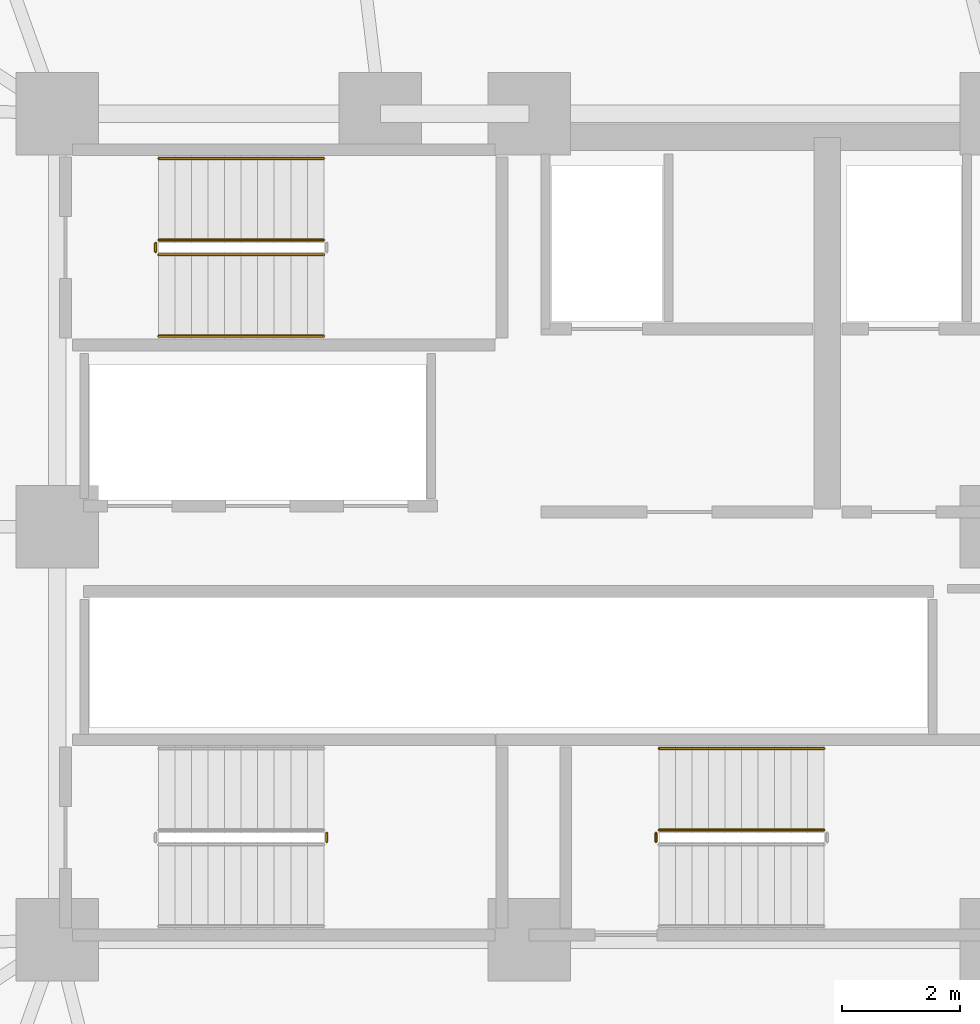
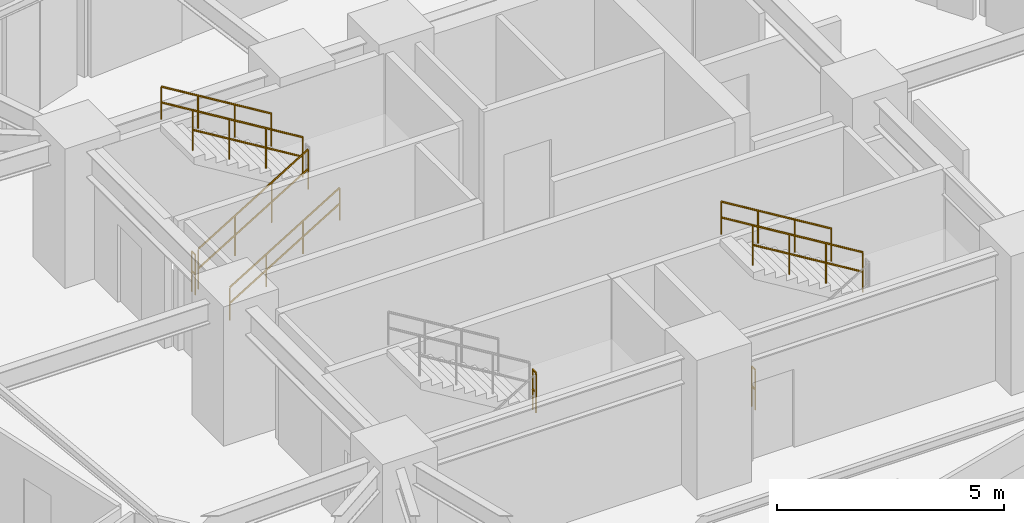
# One storey, part 32 of 34: 9 railings.
"""IFC4 building model written with IfcOpenShell, lengths in metres."""

from ifc_helpers import new_model, si_unit, direction, frame, origin, place, context, subcontext, project, spatial, polyline, outline, extrude, material, type_object, element, save


model = new_model("IFC4")

# Units and contexts
model_context = context("Model", 3, precision=1e-05, world=origin(), true_north=direction((0.0, 1.0)))
body_context = subcontext(model_context, "Body", "Model", "MODEL_VIEW")
ifc_project = project(units=[si_unit("LENGTHUNIT", "METRE"), si_unit("AREAUNIT", "SQUARE_METRE"), si_unit("VOLUMEUNIT", "CUBIC_METRE"), si_unit("PLANEANGLEUNIT", "RADIAN"), si_unit("MASSUNIT", "GRAM", prefix="KILO")], contexts=[model_context])

# Site, building, storey
site_placement = place(None, origin())
site = spatial("IfcSite", under=ifc_project, at=site_placement, CompositionType="ELEMENT")
building_placement = place(site_placement, origin())
building = spatial("IfcBuilding", under=site, at=building_placement, Name="Kelanora Arch Commons", CompositionType="ELEMENT")
storey_placement = place(building_placement, frame((0.0, 0.0, 76.35009765625)))
storey = spatial("IfcBuildingStorey", under=building, at=storey_placement, Name="L19", CompositionType="ELEMENT", Elevation=76.35009765625)

# Railings
ifc_material_1 = material(Name="Painted steel stair well guard", Category="steel")
railing_type_1 = type_object("IfcRailingType", Name="RAIL-STAIR-GRD", PredefinedType="GUARDRAIL", material=ifc_material_1)
railing_1_placement = place(storey_placement, frame((67.719970703125, 62.610107421875, 0.17041015625)))
element("IfcRailing", 1, at=railing_1_placement, inside=storey, type_object=railing_type_1, Name="L19 ST-T1 stair guard 1", PredefinedType="GUARDRAIL", context=body_context, shape_type="SweptSolid", body=[
    extrude(outline(polyline([(0.02392578125, 0.0), (0.011962890625, 0.020751953125), (-0.011962890625, 0.020751953125), (-0.02392578125, 0.0), (-0.011962890625, -0.020751953125), (0.011962890625, -0.020751953125), (0.02392578125, 0.0)])), frame((0.0, 0.0, 1.076171875), z_axis=(0.854169791009, 0.0, 0.51999420009), x_axis=(0.0, 1.0, 0.0)), (0.0, 0.0, 1.0), 3.278076171875),
    extrude(outline(polyline([(0.02392578125, 0.0), (0.011962890625, 0.020751953125), (-0.011962890625, 0.020751953125), (-0.02392578125, 0.0), (-0.011962890625, -0.020751953125), (0.011962890625, -0.020751953125), (0.02392578125, 0.0)])), frame((0.0, 0.0, 0.550048828125), z_axis=(0.854169791009, 0.0, 0.51999420009), x_axis=(0.0, 1.0, 0.0)), (0.0, 0.0, 1.0), 3.278076171875),
    extrude(outline(polyline([(0.02099609375, 0.0), (0.010498046875, 0.01806640625), (-0.010498046875, 0.01806640625), (-0.02099609375, 0.0), (-0.010498046875, -0.01806640625), (0.010498046875, -0.01806640625), (0.02099609375, 0.0)])), origin(), (0.0, 0.0, 1.0), 1.052001953125),
    extrude(outline(polyline([(0.02099609375, 0.0), (0.010498046875, 0.01806640625), (-0.010498046875, 0.01806640625), (-0.02099609375, 0.0), (-0.010498046875, -0.01806640625), (0.010498046875, -0.01806640625), (0.02099609375, 0.0)])), frame((0.933349609375, 0.0, 0.568115234375)), (0.0, 0.0, 1.0), 1.052001953125),
    extrude(outline(polyline([(0.02099609375, 0.0), (0.010498046875, 0.01806640625), (-0.010498046875, 0.01806640625), (-0.02099609375, 0.0), (-0.010498046875, -0.01806640625), (0.010498046875, -0.01806640625), (0.02099609375, 0.0)])), frame((1.86669921875, 0.0, 1.136474609375)), (0.0, 0.0, 1.0), 1.052001953125),
    extrude(outline(polyline([(0.02099609375, 0.0), (0.010498046875, 0.01806640625), (-0.010498046875, 0.01806640625), (-0.02099609375, 0.0), (-0.010498046875, -0.01806640625), (0.010498046875, -0.01806640625), (0.02099609375, 0.0)])), frame((2.800048828125, 0.0, 1.70458984375)), (0.0, 0.0, 1.0), 1.052001953125),
])
railing_2_placement = place(storey_placement, frame((70.52001953125, 62.860107421875, 2.04541015625)))
element("IfcRailing", 2, at=railing_2_placement, inside=storey, type_object=railing_type_1, Name="L19 ST-T1 stair guard 3", PredefinedType="GUARDRAIL", context=body_context, shape_type="SweptSolid", body=[
    extrude(outline(polyline([(0.02392578125, 0.0), (0.011962890625, 0.020751953125), (-0.011962890625, 0.020751953125), (-0.02392578125, 0.0), (-0.011962890625, -0.020751953125), (0.011962890625, -0.020751953125), (0.02392578125, 0.0)])), frame((0.0, 0.0, 1.076171875), z_axis=(-0.854169791009, 0.0, 0.51999420009), x_axis=(0.0, -1.0, 0.0)), (0.0, 0.0, 1.0), 3.278076171875),
    extrude(outline(polyline([(0.02392578125, 0.0), (0.011962890625, 0.020751953125), (-0.011962890625, 0.020751953125), (-0.02392578125, 0.0), (-0.011962890625, -0.020751953125), (0.011962890625, -0.020751953125), (0.02392578125, 0.0)])), frame((0.0, 0.0, 0.550048828125), z_axis=(-0.854169791009, 0.0, 0.51999420009), x_axis=(0.0, -1.0, 0.0)), (0.0, 0.0, 1.0), 3.278076171875),
    extrude(outline(polyline([(0.02099609375, 0.0), (0.010498046875, 0.01806640625), (-0.010498046875, 0.01806640625), (-0.02099609375, 0.0), (-0.010498046875, -0.01806640625), (0.010498046875, -0.01806640625), (0.02099609375, 0.0)])), origin(), (0.0, 0.0, 1.0), 1.052001953125),
    extrude(outline(polyline([(0.02099609375, 0.0), (0.010498046875, 0.01806640625), (-0.010498046875, 0.01806640625), (-0.02099609375, 0.0), (-0.010498046875, -0.01806640625), (0.010498046875, -0.01806640625), (0.02099609375, 0.0)])), frame((-0.933349609375, 0.0, 0.568115234375)), (0.0, 0.0, 1.0), 1.052001953125),
    extrude(outline(polyline([(0.02099609375, 0.0), (0.010498046875, 0.01806640625), (-0.010498046875, 0.01806640625), (-0.02099609375, 0.0), (-0.010498046875, -0.01806640625), (0.010498046875, -0.01806640625), (0.02099609375, 0.0)])), frame((-1.86669921875, 0.0, 1.136474609375)), (0.0, 0.0, 1.0), 1.052001953125),
    extrude(outline(polyline([(0.02099609375, 0.0), (0.010498046875, 0.01806640625), (-0.010498046875, 0.01806640625), (-0.02099609375, 0.0), (-0.010498046875, -0.01806640625), (0.010498046875, -0.01806640625), (0.02099609375, 0.0)])), frame((-2.800048828125, 0.0, 1.70458984375)), (0.0, 0.0, 1.0), 1.052001953125),
])
railing_3_placement = place(storey_placement, frame((67.669921875, 62.659912109375, 0.0)))
element("IfcRailing", 3, at=railing_3_placement, inside=storey, type_object=railing_type_1, Name="L19 ST-T1 stair guard 4", PredefinedType="GUARDRAIL", context=body_context, shape_type="SweptSolid", body=[
    extrude(outline(polyline([(0.02392578125, 0.0), (0.011962890625, 0.020751953125), (-0.011962890625, 0.020751953125), (-0.02392578125, 0.0), (-0.011962890625, -0.020751953125), (0.011962890625, -0.020751953125), (0.02392578125, 0.0)])), frame((0.0, 0.0, 1.076171875), z_axis=(0.0, 1.0, 0.0), x_axis=(-1.0, 0.0, 0.0)), (0.0, 0.0, 1.0), 0.150146484375),
    extrude(outline(polyline([(0.02392578125, 0.0), (0.011962890625, 0.020751953125), (-0.011962890625, 0.020751953125), (-0.02392578125, 0.0), (-0.011962890625, -0.020751953125), (0.011962890625, -0.020751953125), (0.02392578125, 0.0)])), frame((0.0, 0.0, 0.550048828125), z_axis=(0.0, 1.0, 0.0), x_axis=(-1.0, 0.0, 0.0)), (0.0, 0.0, 1.0), 0.150146484375),
    extrude(outline(polyline([(0.02099609375, 0.0), (0.010498046875, 0.01806640625), (-0.010498046875, 0.01806640625), (-0.02099609375, 0.0), (-0.010498046875, -0.01806640625), (0.010498046875, -0.01806640625), (0.02099609375, 0.0)])), origin(), (0.0, 0.0, 1.0), 1.052001953125),
    extrude(outline(polyline([(0.02099609375, 0.0), (0.010498046875, 0.01806640625), (-0.010498046875, 0.01806640625), (-0.02099609375, 0.0), (-0.010498046875, -0.01806640625), (0.010498046875, -0.01806640625), (0.02099609375, 0.0)])), frame((0.0, 0.150146484375, 0.0)), (0.0, 0.0, 1.0), 1.052001953125),
])
railing_4_placement = place(storey_placement, frame((79.0, 52.860107421875, 2.04541015625)))
element("IfcRailing", 4, at=railing_4_placement, inside=storey, type_object=railing_type_1, Name="L19 ST-T2 stair guard 3", PredefinedType="GUARDRAIL", context=body_context, shape_type="SweptSolid", body=[
    extrude(outline(polyline([(0.02392578125, 0.0), (0.011962890625, 0.020751953125), (-0.011962890625, 0.020751953125), (-0.02392578125, 0.0), (-0.011962890625, -0.020751953125), (0.011962890625, -0.020751953125), (0.02392578125, 0.0)])), frame((0.0, 0.0, 1.076171875), z_axis=(-0.854169791009, 0.0, 0.51999420009), x_axis=(0.0, -1.0, 0.0)), (0.0, 0.0, 1.0), 3.278076171875),
    extrude(outline(polyline([(0.02392578125, 0.0), (0.011962890625, 0.020751953125), (-0.011962890625, 0.020751953125), (-0.02392578125, 0.0), (-0.011962890625, -0.020751953125), (0.011962890625, -0.020751953125), (0.02392578125, 0.0)])), frame((0.0, 0.0, 0.550048828125), z_axis=(-0.854169791009, 0.0, 0.51999420009), x_axis=(0.0, -1.0, 0.0)), (0.0, 0.0, 1.0), 3.278076171875),
    extrude(outline(polyline([(0.02099609375, 0.0), (0.010498046875, 0.01806640625), (-0.010498046875, 0.01806640625), (-0.02099609375, 0.0), (-0.010498046875, -0.01806640625), (0.010498046875, -0.01806640625), (0.02099609375, 0.0)])), origin(), (0.0, 0.0, 1.0), 1.052001953125),
    extrude(outline(polyline([(0.02099609375, 0.0), (0.010498046875, 0.01806640625), (-0.010498046875, 0.01806640625), (-0.02099609375, 0.0), (-0.010498046875, -0.01806640625), (0.010498046875, -0.01806640625), (0.02099609375, 0.0)])), frame((-0.933349609375, 0.0, 0.568115234375)), (0.0, 0.0, 1.0), 1.052001953125),
    extrude(outline(polyline([(0.02099609375, 0.0), (0.010498046875, 0.01806640625), (-0.010498046875, 0.01806640625), (-0.02099609375, 0.0), (-0.010498046875, -0.01806640625), (0.010498046875, -0.01806640625), (0.02099609375, 0.0)])), frame((-1.86669921875, 0.0, 1.136474609375)), (0.0, 0.0, 1.0), 1.052001953125),
    extrude(outline(polyline([(0.02099609375, 0.0), (0.010498046875, 0.01806640625), (-0.010498046875, 0.01806640625), (-0.02099609375, 0.0), (-0.010498046875, -0.01806640625), (0.010498046875, -0.01806640625), (0.02099609375, 0.0)])), frame((-2.800048828125, 0.0, 1.70458984375)), (0.0, 0.0, 1.0), 1.052001953125),
])
for number, where, name in (
    (5, (76.14990234375, 52.659912109375, 0.0), "L19 ST-T2 stair guard 4"),
    (6, (70.570068359375, 52.659912109375, 1.875), "L19 ST-T3 stair guard 2"),
):
    element("IfcRailing", number, at=place(storey_placement, frame(where)), inside=storey, type_object=railing_type_1, Name=name, PredefinedType="GUARDRAIL", context=body_context, shape_type="SweptSolid", body=[
        extrude(outline(polyline([(0.02392578125, 0.0), (0.011962890625, 0.020751953125), (-0.011962890625, 0.020751953125), (-0.02392578125, 0.0), (-0.011962890625, -0.020751953125), (0.011962890625, -0.020751953125), (0.02392578125, 0.0)])), frame((0.0, 0.0, 1.076171875), z_axis=(0.0, 1.0, 0.0), x_axis=(-1.0, 0.0, 0.0)), (0.0, 0.0, 1.0), 0.150146484375),
        extrude(outline(polyline([(0.02392578125, 0.0), (0.011962890625, 0.020751953125), (-0.011962890625, 0.020751953125), (-0.02392578125, 0.0), (-0.011962890625, -0.020751953125), (0.011962890625, -0.020751953125), (0.02392578125, 0.0)])), frame((0.0, 0.0, 0.550048828125), z_axis=(0.0, 1.0, 0.0), x_axis=(-1.0, 0.0, 0.0)), (0.0, 0.0, 1.0), 0.150146484375),
        extrude(outline(polyline([(0.02099609375, 0.0), (0.010498046875, 0.01806640625), (-0.010498046875, 0.01806640625), (-0.02099609375, 0.0), (-0.010498046875, -0.01806640625), (0.010498046875, -0.01806640625), (0.02099609375, 0.0)])), origin(), (0.0, 0.0, 1.0), 1.052001953125),
        extrude(outline(polyline([(0.02099609375, 0.0), (0.010498046875, 0.01806640625), (-0.010498046875, 0.01806640625), (-0.02099609375, 0.0), (-0.010498046875, -0.01806640625), (0.010498046875, -0.01806640625), (0.02099609375, 0.0)])), frame((0.0, 0.150146484375, 0.0)), (0.0, 0.0, 1.0), 1.052001953125),
    ])
ifc_material_2 = material(Name="Brushed stainless steel stair handrail", Category="steel")
railing_type_2 = type_object("IfcRailingType", Name="RAIL-STAIR-HND", PredefinedType="HANDRAIL", material=ifc_material_2)
railing_5_placement = place(storey_placement, frame((67.719970703125, 61.22998046875, 0.17041015625)))
element("IfcRailing", 7, at=railing_5_placement, inside=storey, type_object=railing_type_2, Name="L19 ST-T1 stair handrail 1", PredefinedType="HANDRAIL", context=body_context, shape_type="SweptSolid", body=[
    extrude(outline(polyline([(0.02392578125, 0.0), (0.011962890625, 0.020751953125), (-0.011962890625, 0.020751953125), (-0.02392578125, 0.0), (-0.011962890625, -0.020751953125), (0.011962890625, -0.020751953125), (0.02392578125, 0.0)])), frame((0.0, 0.0, 0.8759765625), z_axis=(0.854169791009, 0.0, 0.51999420009), x_axis=(0.0, 1.0, 0.0)), (0.0, 0.0, 1.0), 3.278076171875),
    extrude(outline(polyline([(0.02392578125, 0.0), (0.011962890625, 0.020751953125), (-0.011962890625, 0.020751953125), (-0.02392578125, 0.0), (-0.011962890625, -0.020751953125), (0.011962890625, -0.020751953125), (0.02392578125, 0.0)])), frame((0.0, 0.0, 0.449951171875), z_axis=(0.854169791009, 0.0, 0.51999420009), x_axis=(0.0, 1.0, 0.0)), (0.0, 0.0, 1.0), 3.278076171875),
    extrude(outline(polyline([(0.02099609375, 0.0), (0.010498046875, 0.01806640625), (-0.010498046875, 0.01806640625), (-0.02099609375, 0.0), (-0.010498046875, -0.01806640625), (0.010498046875, -0.01806640625), (0.02099609375, 0.0)])), origin(), (0.0, 0.0, 1.0), 0.851806640625),
    extrude(outline(polyline([(0.02099609375, 0.0), (0.010498046875, 0.01806640625), (-0.010498046875, 0.01806640625), (-0.02099609375, 0.0), (-0.010498046875, -0.01806640625), (0.010498046875, -0.01806640625), (0.02099609375, 0.0)])), frame((0.933349609375, 0.0, 0.568115234375)), (0.0, 0.0, 1.0), 0.851806640625),
    extrude(outline(polyline([(0.02099609375, 0.0), (0.010498046875, 0.01806640625), (-0.010498046875, 0.01806640625), (-0.02099609375, 0.0), (-0.010498046875, -0.01806640625), (0.010498046875, -0.01806640625), (0.02099609375, 0.0)])), frame((1.86669921875, 0.0, 1.136474609375)), (0.0, 0.0, 1.0), 0.851806640625),
    extrude(outline(polyline([(0.02099609375, 0.0), (0.010498046875, 0.01806640625), (-0.010498046875, 0.01806640625), (-0.02099609375, 0.0), (-0.010498046875, -0.01806640625), (0.010498046875, -0.01806640625), (0.02099609375, 0.0)])), frame((2.800048828125, 0.0, 1.70458984375)), (0.0, 0.0, 1.0), 0.851806640625),
])
railing_6_placement = place(storey_placement, frame((70.52001953125, 64.239990234375, 2.04541015625)))
element("IfcRailing", 8, at=railing_6_placement, inside=storey, type_object=railing_type_2, Name="L19 ST-T1 stair handrail 2", PredefinedType="HANDRAIL", context=body_context, shape_type="SweptSolid", body=[
    extrude(outline(polyline([(0.02392578125, 0.0), (0.011962890625, 0.020751953125), (-0.011962890625, 0.020751953125), (-0.02392578125, 0.0), (-0.011962890625, -0.020751953125), (0.011962890625, -0.020751953125), (0.02392578125, 0.0)])), frame((0.0, 0.0, 0.8759765625), z_axis=(-0.854169791009, 0.0, 0.51999420009), x_axis=(0.0, -1.0, 0.0)), (0.0, 0.0, 1.0), 3.278076171875),
    extrude(outline(polyline([(0.02392578125, 0.0), (0.011962890625, 0.020751953125), (-0.011962890625, 0.020751953125), (-0.02392578125, 0.0), (-0.011962890625, -0.020751953125), (0.011962890625, -0.020751953125), (0.02392578125, 0.0)])), frame((0.0, 0.0, 0.449951171875), z_axis=(-0.854169791009, 0.0, 0.51999420009), x_axis=(0.0, -1.0, 0.0)), (0.0, 0.0, 1.0), 3.278076171875),
    extrude(outline(polyline([(0.02099609375, 0.0), (0.010498046875, 0.01806640625), (-0.010498046875, 0.01806640625), (-0.02099609375, 0.0), (-0.010498046875, -0.01806640625), (0.010498046875, -0.01806640625), (0.02099609375, 0.0)])), origin(), (0.0, 0.0, 1.0), 0.851806640625),
    extrude(outline(polyline([(0.02099609375, 0.0), (0.010498046875, 0.01806640625), (-0.010498046875, 0.01806640625), (-0.02099609375, 0.0), (-0.010498046875, -0.01806640625), (0.010498046875, -0.01806640625), (0.02099609375, 0.0)])), frame((-0.933349609375, 0.0, 0.568115234375)), (0.0, 0.0, 1.0), 0.851806640625),
    extrude(outline(polyline([(0.02099609375, 0.0), (0.010498046875, 0.01806640625), (-0.010498046875, 0.01806640625), (-0.02099609375, 0.0), (-0.010498046875, -0.01806640625), (0.010498046875, -0.01806640625), (0.02099609375, 0.0)])), frame((-1.86669921875, 0.0, 1.136474609375)), (0.0, 0.0, 1.0), 0.851806640625),
    extrude(outline(polyline([(0.02099609375, 0.0), (0.010498046875, 0.01806640625), (-0.010498046875, 0.01806640625), (-0.02099609375, 0.0), (-0.010498046875, -0.01806640625), (0.010498046875, -0.01806640625), (0.02099609375, 0.0)])), frame((-2.800048828125, 0.0, 1.70458984375)), (0.0, 0.0, 1.0), 0.851806640625),
])
railing_7_placement = place(storey_placement, frame((79.0, 54.239990234375, 2.04541015625)))
element("IfcRailing", 9, at=railing_7_placement, inside=storey, type_object=railing_type_2, Name="L19 ST-T2 stair handrail 2", PredefinedType="HANDRAIL", context=body_context, shape_type="SweptSolid", body=[
    extrude(outline(polyline([(0.02392578125, 0.0), (0.011962890625, 0.020751953125), (-0.011962890625, 0.020751953125), (-0.02392578125, 0.0), (-0.011962890625, -0.020751953125), (0.011962890625, -0.020751953125), (0.02392578125, 0.0)])), frame((0.0, 0.0, 0.8759765625), z_axis=(-0.854169791009, 0.0, 0.51999420009), x_axis=(0.0, -1.0, 0.0)), (0.0, 0.0, 1.0), 3.278076171875),
    extrude(outline(polyline([(0.02392578125, 0.0), (0.011962890625, 0.020751953125), (-0.011962890625, 0.020751953125), (-0.02392578125, 0.0), (-0.011962890625, -0.020751953125), (0.011962890625, -0.020751953125), (0.02392578125, 0.0)])), frame((0.0, 0.0, 0.449951171875), z_axis=(-0.854169791009, 0.0, 0.51999420009), x_axis=(0.0, -1.0, 0.0)), (0.0, 0.0, 1.0), 3.278076171875),
    extrude(outline(polyline([(0.02099609375, 0.0), (0.010498046875, 0.01806640625), (-0.010498046875, 0.01806640625), (-0.02099609375, 0.0), (-0.010498046875, -0.01806640625), (0.010498046875, -0.01806640625), (0.02099609375, 0.0)])), origin(), (0.0, 0.0, 1.0), 0.851806640625),
    extrude(outline(polyline([(0.02099609375, 0.0), (0.010498046875, 0.01806640625), (-0.010498046875, 0.01806640625), (-0.02099609375, 0.0), (-0.010498046875, -0.01806640625), (0.010498046875, -0.01806640625), (0.02099609375, 0.0)])), frame((-0.933349609375, 0.0, 0.568115234375)), (0.0, 0.0, 1.0), 0.851806640625),
    extrude(outline(polyline([(0.02099609375, 0.0), (0.010498046875, 0.01806640625), (-0.010498046875, 0.01806640625), (-0.02099609375, 0.0), (-0.010498046875, -0.01806640625), (0.010498046875, -0.01806640625), (0.02099609375, 0.0)])), frame((-1.86669921875, 0.0, 1.136474609375)), (0.0, 0.0, 1.0), 0.851806640625),
    extrude(outline(polyline([(0.02099609375, 0.0), (0.010498046875, 0.01806640625), (-0.010498046875, 0.01806640625), (-0.02099609375, 0.0), (-0.010498046875, -0.01806640625), (0.010498046875, -0.01806640625), (0.02099609375, 0.0)])), frame((-2.800048828125, 0.0, 1.70458984375)), (0.0, 0.0, 1.0), 0.851806640625),
])

save(model, "model.ifc")
